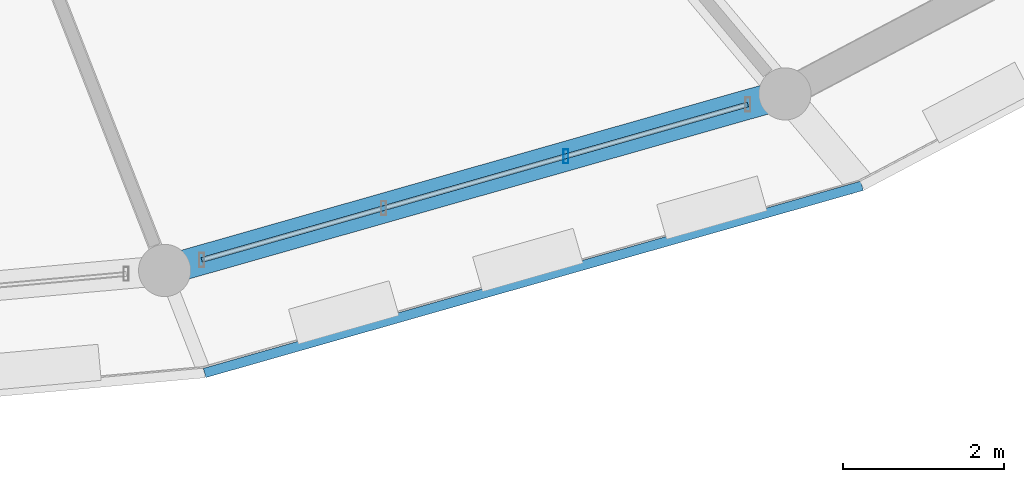
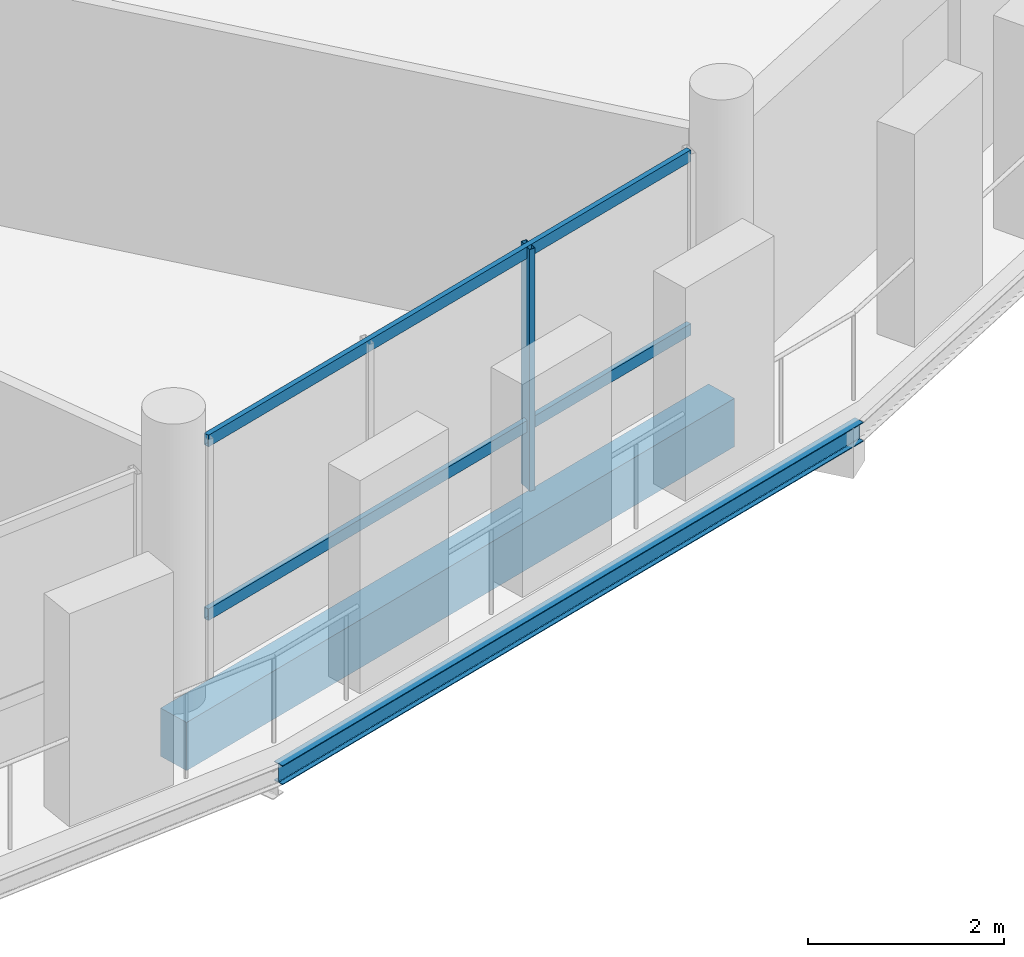
# One storey, part 27 of 93: 3 members, 2 beams, 1 element without a shape of its own.
"""IFC4 building model written with IfcOpenShell, lengths in metres."""

from ifc_helpers import new_model, si_unit, direction, frame, origin, origin_2d, place, context, subcontext, project, spatial, rectangle, hollow_rectangle, i_section, extrude, material, material_profile, profile_set, type_object, element, aggregate, save


model = new_model("IFC4")

# Units and contexts
model_context = context("Model", 3, precision=1e-05, world=origin(), true_north=direction((0.0, 1.0)))
body_context = subcontext(model_context, "Body", "Model", "MODEL_VIEW")
ifc_project = project(units=[si_unit("LENGTHUNIT", "METRE"), si_unit("AREAUNIT", "SQUARE_METRE"), si_unit("VOLUMEUNIT", "CUBIC_METRE"), si_unit("PLANEANGLEUNIT", "RADIAN"), si_unit("MASSUNIT", "GRAM", prefix="KILO")], contexts=[model_context])

# Site, building, storey
site_placement = place(None, origin())
site = spatial("IfcSite", under=ifc_project, at=site_placement, CompositionType="ELEMENT")
building_placement = place(site_placement, origin())
building = spatial("IfcBuilding", under=site, at=building_placement, Name="Zornivar Specialist Clinic", CompositionType="ELEMENT")
storey_placement = place(building_placement, frame((0.0, 0.0, 8.39990234375)))
storey = spatial("IfcBuildingStorey", under=building, at=storey_placement, Name="L02", CompositionType="ELEMENT", Elevation=8.39990234375)

# Beams
ifc_material_1 = material(Name="Concrete C30/37", Category="concrete")
ifc_material_profile_1 = material_profile(ifc_material_1, rectangle(XDim=0.3701171875, YDim=0.60009765625, at=origin_2d()), Name="RC 370x600")
ifc_profile_set_1 = profile_set([ifc_material_profile_1], Name="Concrete C30/37")
beam_type_1 = type_object("IfcBeamType", Name="BM-RC-SPANDREL-370x600", PredefinedType="SPANDREL", material=ifc_profile_set_1)
beam_1_placement = place(storey_placement, frame((101.882080078125, 36.35009765625, -0.539794921875), z_axis=(0.961790992591, 0.273784744957, 0.0), x_axis=(-0.273784744957, 0.961790992591, 0.0)))
element("IfcBeam", 1, at=beam_1_placement, inside=storey, type_object=beam_type_1, Name="bm:V1:L02:outring:19", PredefinedType="SPANDREL", context=body_context, shape_type="SweptSolid", body=[
    extrude(rectangle(XDim=0.3701171875, YDim=0.60009765625, at=origin_2d()), origin(), (0.0, 0.0, 1.0), 8.024658203125),
])
ifc_material_2 = material(Name="Steel S355J2", Category="steel")
ifc_material_profile_2 = material_profile(ifc_material_2, i_section(OverallWidth=0.1201171875, OverallDepth=0.239990234375, WebThickness=0.006103515625, FlangeThickness=0.009765625, FilletRadius=0.014892578125, at=origin_2d()), Name="IPE 240")
ifc_profile_set_2 = profile_set([ifc_material_profile_2], Name="Steel S355J2")
beam_type_2 = type_object("IfcBeamType", Name="BM-STL-IPE240", PredefinedType="JOIST", material=ifc_profile_set_2)
beam_2_placement = place(storey_placement, frame((102.37890625, 35.074951171875, -0.35986328125), z_axis=(0.961783454314, 0.273811225131, 0.0), x_axis=(-0.273811225131, 0.961783454314, 0.0)))
element("IfcBeam", 2, at=beam_2_placement, inside=storey, type_object=beam_type_2, Name="bm:V1:L02:balring:19", PredefinedType="JOIST", context=body_context, shape_type="SweptSolid", body=[
    extrude(i_section(OverallWidth=0.1201171875, OverallDepth=0.239990234375, WebThickness=0.006103515625, FlangeThickness=0.009765625, FilletRadius=0.014892578125, at=origin_2d()), origin(), (0.0, 0.0, 1.0), 8.50634765625),
])

# Curtain wall, members
ifc_material_3 = material(Name="Aluminium and Low-E Glass Curtain Wall", Category="aluminium")
curtain_wall_type = type_object("IfcCurtainWallType", Name="CW-DRUM-FACET", PredefinedType="NOTDEFINED", material=ifc_material_3)
curtain_wall_placement = place(storey_placement, origin())
curtain_wall = element("IfcCurtainWall", 3, at=curtain_wall_placement, inside=storey, type_object=curtain_wall_type, Name="cw:V1:L02:c19", PredefinedType="NOTDEFINED")
ifc_material_4 = material(Name="Aluminium AW-6060", Category="aluminium")
ifc_material_profile_3 = material_profile(ifc_material_4, hollow_rectangle(XDim=0.06494140625, YDim=0.175048828125, WallThickness=0.00439453125, at=origin_2d()), Name="ALU 65x175x4.5")
ifc_profile_set_3 = profile_set([ifc_material_profile_3], Name="Aluminium AW-6060")
member_type_1 = type_object("IfcMemberType", Name="CWM-MUL-175", PredefinedType="MULLION", material=ifc_profile_set_3)
member_1_placement = place(storey_placement, frame((106.8740234375, 37.77001953125, 0.0), z_axis=(0.0, 0.0, 1.0), x_axis=(1.0, 0.0, 0.0)))
member_1 = element("IfcMember", 4, at=member_1_placement, type_object=member_type_1, Name="cw:V1:L02:c19:mul:2", PredefinedType="MULLION", context=body_context, shape_type="SweptSolid", body=[
    extrude(hollow_rectangle(XDim=0.06494140625, YDim=0.175048828125, WallThickness=0.00439453125, at=origin_2d()), origin(), (0.0, 0.0, 1.0), 3.010009765625),
])
ifc_material_5 = material(Name="Aluminium AW-6060", Category="aluminium")
ifc_material_profile_4 = material_profile(ifc_material_5, hollow_rectangle(XDim=0.06005859375, YDim=0.14501953125, WallThickness=0.00390625, at=origin_2d()), Name="ALU 60x145x4")
ifc_profile_set_4 = profile_set([ifc_material_profile_4], Name="Aluminium AW-6060")
member_type_2 = type_object("IfcMemberType", Name="CWM-TRN-145", PredefinedType="USERDEFINED", material=ifc_profile_set_4)
member_2_placement = place(storey_placement, frame((102.343017578125, 36.48095703125, 0.783203125), z_axis=(0.961771283353, 0.27385397298, 0.0), x_axis=(-0.27385397298, 0.961771283353, 0.0)))
member_2 = element("IfcMember", 5, at=member_2_placement, type_object=member_type_2, Name="cw:V1:L02:c19:trn:0", ObjectType="TRANSOM", PredefinedType="USERDEFINED", context=body_context, shape_type="SweptSolid", body=[
    extrude(hollow_rectangle(XDim=0.06005859375, YDim=0.14501953125, WallThickness=0.00390625, at=origin_2d()), origin(), (0.0, 0.0, 1.0), 7.06591796875),
])
member_3_placement = place(storey_placement, frame((102.343017578125, 36.48095703125, 2.945068359375), z_axis=(0.961771283353, 0.27385397298, 0.0), x_axis=(-0.27385397298, 0.961771283353, 0.0)))
member_3 = element("IfcMember", 6, at=member_3_placement, type_object=member_type_2, Name="cw:V1:L02:c19:trn:1", ObjectType="TRANSOM", PredefinedType="USERDEFINED", context=body_context, shape_type="SweptSolid", body=[
    extrude(hollow_rectangle(XDim=0.06005859375, YDim=0.14501953125, WallThickness=0.00390625, at=origin_2d()), origin(), (0.0, 0.0, 1.0), 7.06591796875),
])
aggregate(curtain_wall, [member_1, member_2, member_3])

save(model, "model.ifc")
